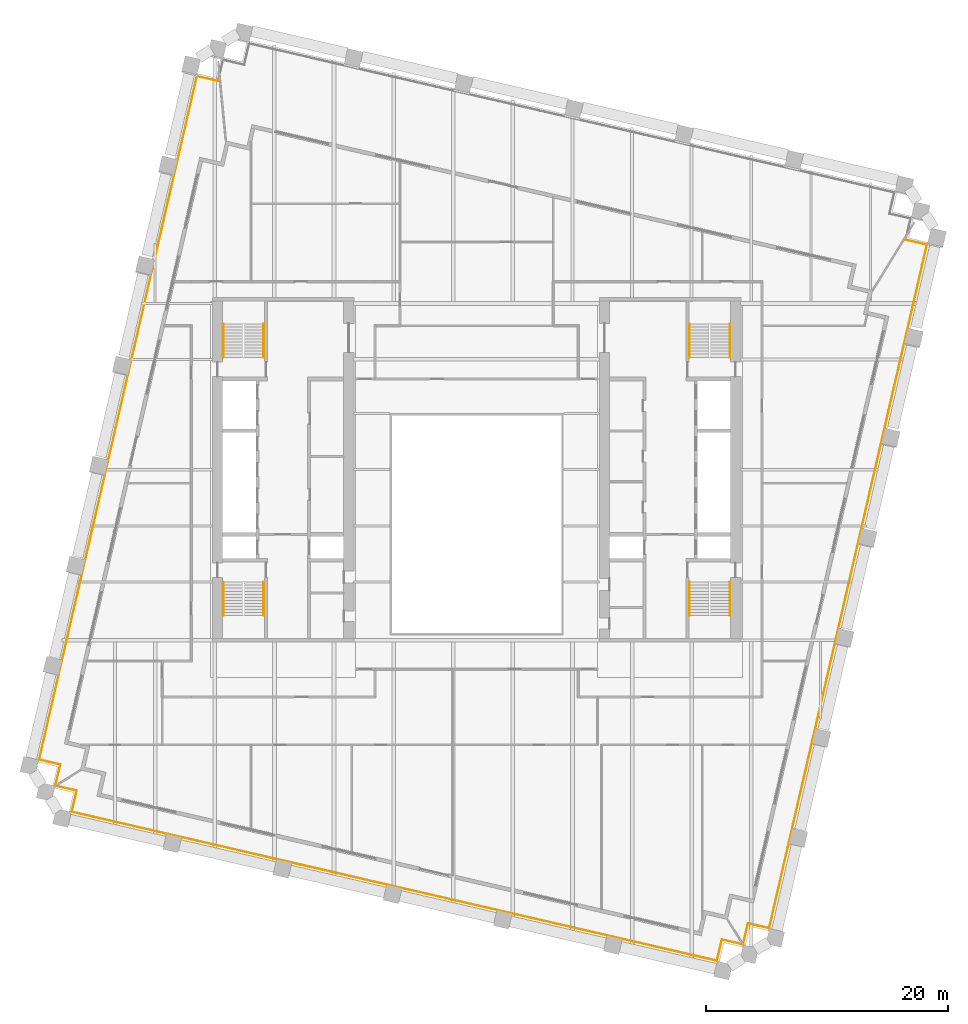
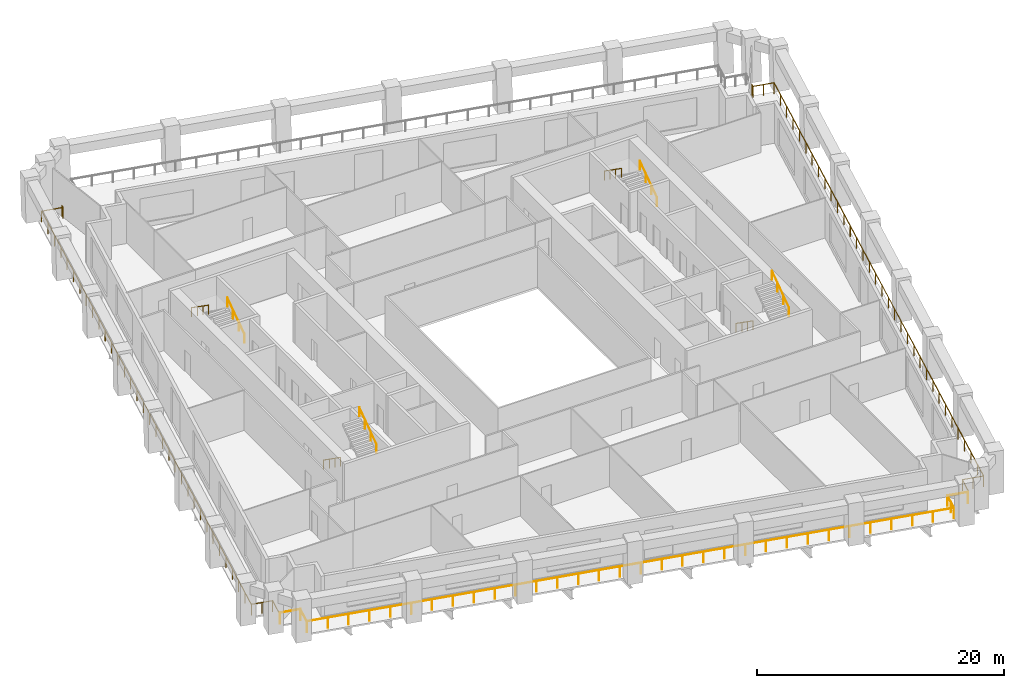
# One storey, part 9 of 10: 11 railings.
"""IFC4 building model written with IfcOpenShell, lengths in metres."""

from ifc_helpers import new_model, si_unit, direction, frame, origin, origin_2d, place, context, subcontext, project, spatial, circle, extrude, material, type_object, element, save


model = new_model("IFC4")

# Units and contexts
model_context = context("Model", 3, precision=1e-05, world=origin(), true_north=direction((0.0, 1.0)))
body_context = subcontext(model_context, "Body", "Model", "MODEL_VIEW")
ifc_project = project(units=[si_unit("LENGTHUNIT", "METRE"), si_unit("AREAUNIT", "SQUARE_METRE"), si_unit("VOLUMEUNIT", "CUBIC_METRE"), si_unit("PLANEANGLEUNIT", "RADIAN"), si_unit("MASSUNIT", "GRAM", prefix="KILO")], contexts=[model_context])

# Site, building, storey
site_placement = place(None, origin())
site = spatial("IfcSite", under=ifc_project, at=site_placement, CompositionType="ELEMENT")
building_placement = place(site_placement, origin())
building = spatial("IfcBuilding", under=site, at=building_placement, Name="Ogive Exchange Tower", CompositionType="ELEMENT")
storey_placement = place(building_placement, frame((0.0, 0.0, 151.800048828125)))
storey = spatial("IfcBuildingStorey", under=building, at=storey_placement, Name="L33", CompositionType="ELEMENT", Elevation=151.800048828125)

# Railings
ifc_material_1 = material(Name="Stainless steel 316", Category="steel")
railing_type_1 = type_object("IfcRailingType", Name="Guard 1100 stainless steel and glass", PredefinedType="GUARDRAIL", material=ifc_material_1)
railing_1_placement = place(storey_placement, frame((21.947265625, -27.74462890625, -0.050048828125)))
element("IfcRailing", 1, at=railing_1_placement, inside=storey, type_object=railing_type_1, Name="Loggia guard 1", PredefinedType="GUARDRAIL", context=body_context, shape_type="SweptSolid", body=[
    extrude(circle(Radius=0.02392578125, at=origin_2d()), frame((0.0, 0.0, 1.076171875), z_axis=(-0.974396013545, 0.224838628327, 0.0), x_axis=(-0.224838628327, -0.974396013545, 0.0)), (0.0, 0.0, 1.0), 1.7080078125),
    extrude(circle(Radius=0.02392578125, at=origin_2d()), frame((-1.664306640625, 0.384033203125, 1.076171875), z_axis=(-0.225008086135, -0.974356896201, 0.0), x_axis=(0.974356896201, -0.225008086135, 0.0)), (0.0, 0.0, 1.0), 1.800048828125),
    extrude(circle(Radius=0.02392578125, at=origin_2d()), frame((-2.0693359375, -1.369873046875, 1.076171875), z_axis=(-0.974368873975, 0.224956212247, 0.0), x_axis=(-0.224956212247, -0.974368873975, 0.0)), (0.0, 0.0, 1.0), 54.760009765625),
    extrude(circle(Radius=0.02392578125, at=origin_2d()), frame((-55.42578125, 10.94873046875, 1.076171875), z_axis=(0.22503782496, 0.974350028141, 0.0), x_axis=(-0.974350028141, 0.22503782496, 0.0)), (0.0, 0.0, 1.0), 1.7998046875),
    extrude(circle(Radius=0.02392578125, at=origin_2d()), frame((-55.020751953125, 12.702392578125, 1.076171875), z_axis=(-0.974364690374, 0.224974332206, 0.0), x_axis=(-0.224974332206, -0.974364690374, 0.0)), (0.0, 0.0, 1.0), 1.7080078125),
    extrude(circle(Radius=0.02099609375, at=origin_2d()), origin(), (0.0, 0.0, 1.0), 1.052001953125),
    extrude(circle(Radius=0.02099609375, at=origin_2d()), frame((-1.664306640625, 0.384033203125, 0.0)), (0.0, 0.0, 1.0), 1.052001953125),
    extrude(circle(Radius=0.02099609375, at=origin_2d()), frame((-1.86669921875, -0.492919921875, 0.0)), (0.0, 0.0, 1.0), 1.052001953125),
    extrude(circle(Radius=0.02099609375, at=origin_2d()), frame((-2.0693359375, -1.369873046875, 0.0)), (0.0, 0.0, 1.0), 1.052001953125),
    extrude(circle(Radius=0.02099609375, at=origin_2d()), frame((-3.79052734375, -0.972412109375, 0.0)), (0.0, 0.0, 1.0), 1.052001953125),
    extrude(circle(Radius=0.02099609375, at=origin_2d()), frame((-5.51171875, -0.5751953125, 0.0)), (0.0, 0.0, 1.0), 1.052001953125),
    extrude(circle(Radius=0.02099609375, at=origin_2d()), frame((-7.23291015625, -0.177734375, 0.0)), (0.0, 0.0, 1.0), 1.052001953125),
    extrude(circle(Radius=0.02099609375, at=origin_2d()), frame((-8.9541015625, 0.2197265625, 0.0)), (0.0, 0.0, 1.0), 1.052001953125),
    extrude(circle(Radius=0.02099609375, at=origin_2d()), frame((-10.67529296875, 0.616943359375, 0.0)), (0.0, 0.0, 1.0), 1.052001953125),
    extrude(circle(Radius=0.02099609375, at=origin_2d()), frame((-12.396484375, 1.014404296875, 0.0)), (0.0, 0.0, 1.0), 1.052001953125),
    extrude(circle(Radius=0.02099609375, at=origin_2d()), frame((-14.11767578125, 1.411865234375, 0.0)), (0.0, 0.0, 1.0), 1.052001953125),
    extrude(circle(Radius=0.02099609375, at=origin_2d()), frame((-15.838623046875, 1.80908203125, 0.0)), (0.0, 0.0, 1.0), 1.052001953125),
    extrude(circle(Radius=0.02099609375, at=origin_2d()), frame((-17.559814453125, 2.20654296875, 0.0)), (0.0, 0.0, 1.0), 1.052001953125),
    extrude(circle(Radius=0.02099609375, at=origin_2d()), frame((-19.281005859375, 2.603759765625, 0.0)), (0.0, 0.0, 1.0), 1.052001953125),
    extrude(circle(Radius=0.02099609375, at=origin_2d()), frame((-21.002197265625, 3.001220703125, 0.0)), (0.0, 0.0, 1.0), 1.052001953125),
    extrude(circle(Radius=0.02099609375, at=origin_2d()), frame((-22.723388671875, 3.398681640625, 0.0)), (0.0, 0.0, 1.0), 1.052001953125),
    extrude(circle(Radius=0.02099609375, at=origin_2d()), frame((-24.444580078125, 3.7958984375, 0.0)), (0.0, 0.0, 1.0), 1.052001953125),
    extrude(circle(Radius=0.02099609375, at=origin_2d()), frame((-26.165771484375, 4.193359375, 0.0)), (0.0, 0.0, 1.0), 1.052001953125),
    extrude(circle(Radius=0.02099609375, at=origin_2d()), frame((-27.886962890625, 4.5908203125, 0.0)), (0.0, 0.0, 1.0), 1.052001953125),
    extrude(circle(Radius=0.02099609375, at=origin_2d()), frame((-29.608154296875, 4.988037109375, 0.0)), (0.0, 0.0, 1.0), 1.052001953125),
    extrude(circle(Radius=0.02099609375, at=origin_2d()), frame((-31.329345703125, 5.385498046875, 0.0)), (0.0, 0.0, 1.0), 1.052001953125),
    extrude(circle(Radius=0.02099609375, at=origin_2d()), frame((-33.050537109375, 5.782958984375, 0.0)), (0.0, 0.0, 1.0), 1.052001953125),
    extrude(circle(Radius=0.02099609375, at=origin_2d()), frame((-34.771728515625, 6.18017578125, 0.0)), (0.0, 0.0, 1.0), 1.052001953125),
    extrude(circle(Radius=0.02099609375, at=origin_2d()), frame((-36.492919921875, 6.57763671875, 0.0)), (0.0, 0.0, 1.0), 1.052001953125),
    extrude(circle(Radius=0.02099609375, at=origin_2d()), frame((-38.214111328125, 6.97509765625, 0.0)), (0.0, 0.0, 1.0), 1.052001953125),
    extrude(circle(Radius=0.02099609375, at=origin_2d()), frame((-39.935302734375, 7.372314453125, 0.0)), (0.0, 0.0, 1.0), 1.052001953125),
    extrude(circle(Radius=0.02099609375, at=origin_2d()), frame((-41.656494140625, 7.769775390625, 0.0)), (0.0, 0.0, 1.0), 1.052001953125),
    extrude(circle(Radius=0.02099609375, at=origin_2d()), frame((-43.37744140625, 8.1669921875, 0.0)), (0.0, 0.0, 1.0), 1.052001953125),
    extrude(circle(Radius=0.02099609375, at=origin_2d()), frame((-45.0986328125, 8.564453125, 0.0)), (0.0, 0.0, 1.0), 1.052001953125),
    extrude(circle(Radius=0.02099609375, at=origin_2d()), frame((-46.81982421875, 8.9619140625, 0.0)), (0.0, 0.0, 1.0), 1.052001953125),
    extrude(circle(Radius=0.02099609375, at=origin_2d()), frame((-48.541015625, 9.359130859375, 0.0)), (0.0, 0.0, 1.0), 1.052001953125),
    extrude(circle(Radius=0.02099609375, at=origin_2d()), frame((-50.26220703125, 9.756591796875, 0.0)), (0.0, 0.0, 1.0), 1.052001953125),
    extrude(circle(Radius=0.02099609375, at=origin_2d()), frame((-51.9833984375, 10.154052734375, 0.0)), (0.0, 0.0, 1.0), 1.052001953125),
    extrude(circle(Radius=0.02099609375, at=origin_2d()), frame((-53.70458984375, 10.55126953125, 0.0)), (0.0, 0.0, 1.0), 1.052001953125),
    extrude(circle(Radius=0.02099609375, at=origin_2d()), frame((-55.42578125, 10.94873046875, 0.0)), (0.0, 0.0, 1.0), 1.052001953125),
    extrude(circle(Radius=0.02099609375, at=origin_2d()), frame((-55.020751953125, 12.702392578125, 0.0)), (0.0, 0.0, 1.0), 1.052001953125),
    extrude(circle(Radius=0.02099609375, at=origin_2d()), frame((-56.68505859375, 13.086669921875, 0.0)), (0.0, 0.0, 1.0), 1.052001953125),
])
railing_2_placement = place(storey_placement, frame((-34.806884765625, -14.547607421875, -0.050048828125)))
element("IfcRailing", 2, at=railing_2_placement, inside=storey, type_object=railing_type_1, Name="Loggia guard 2", PredefinedType="GUARDRAIL", context=body_context, shape_type="SweptSolid", body=[
    extrude(circle(Radius=0.02392578125, at=origin_2d()), frame((0.0, 0.0, 1.076171875), z_axis=(0.224974332206, 0.974364690374, 0.0), x_axis=(-0.974364690374, 0.224974332206, 0.0)), (0.0, 0.0, 1.0), 1.7080078125),
    extrude(circle(Radius=0.02392578125, at=origin_2d()), frame((0.38427734375, 1.664306640625, 1.076171875), z_axis=(-0.974386623598, 0.224879318197, 0.0), x_axis=(-0.224879318197, -0.974386623598, 0.0)), (0.0, 0.0, 1.0), 1.800048828125),
    extrude(circle(Radius=0.02392578125, at=origin_2d()), frame((-1.36962890625, 2.069091796875, 1.076171875), z_axis=(0.224954182707, 0.97436934254, 0.0), x_axis=(-0.97436934254, 0.224954182707, 0.0)), (0.0, 0.0, 1.0), 58.005615234375),
    extrude(circle(Radius=0.02392578125, at=origin_2d()), frame((11.678955078125, 58.587890625, 1.076171875), z_axis=(0.974379763188, -0.224909041816, 0.0), x_axis=(0.224909041816, 0.974379763188, 0.0)), (0.0, 0.0, 1.0), 1.7998046875),
    extrude(circle(Radius=0.02392578125, at=origin_2d()), frame((13.4326171875, 58.18310546875, 1.076171875), z_axis=(0.225320248808, 0.974284755848, 0.0), x_axis=(-0.974284755848, 0.225320248808, 0.0)), (0.0, 0.0, 1.0), 0.27099609375),
    extrude(circle(Radius=0.02099609375, at=origin_2d()), origin(), (0.0, 0.0, 1.0), 1.052001953125),
    extrude(circle(Radius=0.02099609375, at=origin_2d()), frame((0.38427734375, 1.664306640625, 0.0)), (0.0, 0.0, 1.0), 1.052001953125),
    extrude(circle(Radius=0.02099609375, at=origin_2d()), frame((-0.49267578125, 1.86669921875, 0.0)), (0.0, 0.0, 1.0), 1.052001953125),
    extrude(circle(Radius=0.02099609375, at=origin_2d()), frame((-1.36962890625, 2.069091796875, 0.0)), (0.0, 0.0, 1.0), 1.052001953125),
    extrude(circle(Radius=0.02099609375, at=origin_2d()), frame((-0.97412109375, 3.78173828125, 0.0)), (0.0, 0.0, 1.0), 1.052001953125),
    extrude(circle(Radius=0.02099609375, at=origin_2d()), frame((-0.578857421875, 5.494384765625, 0.0)), (0.0, 0.0, 1.0), 1.052001953125),
    extrude(circle(Radius=0.02099609375, at=origin_2d()), frame((-0.183349609375, 7.207275390625, 0.0)), (0.0, 0.0, 1.0), 1.052001953125),
    extrude(circle(Radius=0.02099609375, at=origin_2d()), frame((0.2119140625, 8.919921875, 0.0)), (0.0, 0.0, 1.0), 1.052001953125),
    extrude(circle(Radius=0.02099609375, at=origin_2d()), frame((0.607421875, 10.632568359375, 0.0)), (0.0, 0.0, 1.0), 1.052001953125),
    extrude(circle(Radius=0.02099609375, at=origin_2d()), frame((1.0029296875, 12.34521484375, 0.0)), (0.0, 0.0, 1.0), 1.052001953125),
    extrude(circle(Radius=0.02099609375, at=origin_2d()), frame((1.398193359375, 14.057861328125, 0.0)), (0.0, 0.0, 1.0), 1.052001953125),
    extrude(circle(Radius=0.02099609375, at=origin_2d()), frame((1.793701171875, 15.7705078125, 0.0)), (0.0, 0.0, 1.0), 1.052001953125),
    extrude(circle(Radius=0.02099609375, at=origin_2d()), frame((2.18896484375, 17.4833984375, 0.0)), (0.0, 0.0, 1.0), 1.052001953125),
    extrude(circle(Radius=0.02099609375, at=origin_2d()), frame((2.58447265625, 19.196044921875, 0.0)), (0.0, 0.0, 1.0), 1.052001953125),
    extrude(circle(Radius=0.02099609375, at=origin_2d()), frame((2.97998046875, 20.90869140625, 0.0)), (0.0, 0.0, 1.0), 1.052001953125),
    extrude(circle(Radius=0.02099609375, at=origin_2d()), frame((3.375244140625, 22.621337890625, 0.0)), (0.0, 0.0, 1.0), 1.052001953125),
    extrude(circle(Radius=0.02099609375, at=origin_2d()), frame((3.770751953125, 24.333984375, 0.0)), (0.0, 0.0, 1.0), 1.052001953125),
    extrude(circle(Radius=0.02099609375, at=origin_2d()), frame((4.166015625, 26.046875, 0.0)), (0.0, 0.0, 1.0), 1.052001953125),
    extrude(circle(Radius=0.02099609375, at=origin_2d()), frame((4.5615234375, 27.759521484375, 0.0)), (0.0, 0.0, 1.0), 1.052001953125),
    extrude(circle(Radius=0.02099609375, at=origin_2d()), frame((4.95703125, 29.47216796875, 0.0)), (0.0, 0.0, 1.0), 1.052001953125),
    extrude(circle(Radius=0.02099609375, at=origin_2d()), frame((5.352294921875, 31.184814453125, 0.0)), (0.0, 0.0, 1.0), 1.052001953125),
    extrude(circle(Radius=0.02099609375, at=origin_2d()), frame((5.747802734375, 32.8974609375, 0.0)), (0.0, 0.0, 1.0), 1.052001953125),
    extrude(circle(Radius=0.02099609375, at=origin_2d()), frame((6.143310546875, 34.610107421875, 0.0)), (0.0, 0.0, 1.0), 1.052001953125),
    extrude(circle(Radius=0.02099609375, at=origin_2d()), frame((6.53857421875, 36.322998046875, 0.0)), (0.0, 0.0, 1.0), 1.052001953125),
    extrude(circle(Radius=0.02099609375, at=origin_2d()), frame((6.93408203125, 38.03564453125, 0.0)), (0.0, 0.0, 1.0), 1.052001953125),
    extrude(circle(Radius=0.02099609375, at=origin_2d()), frame((7.329345703125, 39.748291015625, 0.0)), (0.0, 0.0, 1.0), 1.052001953125),
    extrude(circle(Radius=0.02099609375, at=origin_2d()), frame((7.724853515625, 41.4609375, 0.0)), (0.0, 0.0, 1.0), 1.052001953125),
    extrude(circle(Radius=0.02099609375, at=origin_2d()), frame((8.120361328125, 43.173583984375, 0.0)), (0.0, 0.0, 1.0), 1.052001953125),
    extrude(circle(Radius=0.02099609375, at=origin_2d()), frame((8.515625, 44.886474609375, 0.0)), (0.0, 0.0, 1.0), 1.052001953125),
    extrude(circle(Radius=0.02099609375, at=origin_2d()), frame((8.9111328125, 46.59912109375, 0.0)), (0.0, 0.0, 1.0), 1.052001953125),
    extrude(circle(Radius=0.02099609375, at=origin_2d()), frame((9.306396484375, 48.311767578125, 0.0)), (0.0, 0.0, 1.0), 1.052001953125),
    extrude(circle(Radius=0.02099609375, at=origin_2d()), frame((9.701904296875, 50.0244140625, 0.0)), (0.0, 0.0, 1.0), 1.052001953125),
    extrude(circle(Radius=0.02099609375, at=origin_2d()), frame((10.097412109375, 51.737060546875, 0.0)), (0.0, 0.0, 1.0), 1.052001953125),
    extrude(circle(Radius=0.02099609375, at=origin_2d()), frame((10.49267578125, 53.44970703125, 0.0)), (0.0, 0.0, 1.0), 1.052001953125),
    extrude(circle(Radius=0.02099609375, at=origin_2d()), frame((10.88818359375, 55.16259765625, 0.0)), (0.0, 0.0, 1.0), 1.052001953125),
    extrude(circle(Radius=0.02099609375, at=origin_2d()), frame((11.283447265625, 56.875244140625, 0.0)), (0.0, 0.0, 1.0), 1.052001953125),
    extrude(circle(Radius=0.02099609375, at=origin_2d()), frame((11.678955078125, 58.587890625, 0.0)), (0.0, 0.0, 1.0), 1.052001953125),
    extrude(circle(Radius=0.02099609375, at=origin_2d()), frame((13.4326171875, 58.18310546875, 0.0)), (0.0, 0.0, 1.0), 1.052001953125),
    extrude(circle(Radius=0.02099609375, at=origin_2d()), frame((13.49365234375, 58.447021484375, 0.0)), (0.0, 0.0, 1.0), 1.052001953125),
])
railing_3_placement = place(storey_placement, frame((35.551025390625, 30.771484375, -0.050048828125)))
element("IfcRailing", 3, at=railing_3_placement, inside=storey, type_object=railing_type_1, Name="Loggia guard 4", PredefinedType="GUARDRAIL", context=body_context, shape_type="SweptSolid", body=[
    extrude(circle(Radius=0.02392578125, at=origin_2d()), frame((0.0, 0.0, 1.076171875), z_axis=(-0.224925214677, -0.974376029981, 0.0), x_axis=(0.974376029981, -0.224925214677, 0.0)), (0.0, 0.0, 1.0), 0.271240234375),
    extrude(circle(Radius=0.02392578125, at=origin_2d()), frame((-0.06103515625, -0.264404296875, 1.076171875), z_axis=(0.974386623598, -0.224879318197, 0.0), x_axis=(0.224879318197, 0.974386623598, 0.0)), (0.0, 0.0, 1.0), 1.800048828125),
    extrude(circle(Radius=0.02392578125, at=origin_2d()), frame((1.69287109375, -0.669189453125, 1.076171875), z_axis=(-0.22495018677, -0.97437026508, 0.0), x_axis=(0.97437026508, -0.22495018677, 0.0)), (0.0, 0.0, 1.0), 58.00537109375),
    extrude(circle(Radius=0.02392578125, at=origin_2d()), frame((-11.35546875, -57.18798828125, 1.076171875), z_axis=(-0.974356896201, 0.225008086135, 0.0), x_axis=(-0.225008086135, -0.974356896201, 0.0)), (0.0, 0.0, 1.0), 1.800048828125),
    extrude(circle(Radius=0.02392578125, at=origin_2d()), frame((-13.109375, -56.782958984375, 1.076171875), z_axis=(-0.224974332206, -0.974364690374, 0.0), x_axis=(0.974364690374, -0.224974332206, 0.0)), (0.0, 0.0, 1.0), 1.7080078125),
    extrude(circle(Radius=0.02099609375, at=origin_2d()), origin(), (0.0, 0.0, 1.0), 1.052001953125),
    extrude(circle(Radius=0.02099609375, at=origin_2d()), frame((-0.06103515625, -0.264404296875, 0.0)), (0.0, 0.0, 1.0), 1.052001953125),
    extrude(circle(Radius=0.02099609375, at=origin_2d()), frame((0.81591796875, -0.466796875, 0.0)), (0.0, 0.0, 1.0), 1.052001953125),
    extrude(circle(Radius=0.02099609375, at=origin_2d()), frame((1.69287109375, -0.669189453125, 0.0)), (0.0, 0.0, 1.0), 1.052001953125),
    extrude(circle(Radius=0.02099609375, at=origin_2d()), frame((1.29736328125, -2.3818359375, 0.0)), (0.0, 0.0, 1.0), 1.052001953125),
    extrude(circle(Radius=0.02099609375, at=origin_2d()), frame((0.902099609375, -4.094482421875, 0.0)), (0.0, 0.0, 1.0), 1.052001953125),
    extrude(circle(Radius=0.02099609375, at=origin_2d()), frame((0.506591796875, -5.807373046875, 0.0)), (0.0, 0.0, 1.0), 1.052001953125),
    extrude(circle(Radius=0.02099609375, at=origin_2d()), frame((0.111328125, -7.52001953125, 0.0)), (0.0, 0.0, 1.0), 1.052001953125),
    extrude(circle(Radius=0.02099609375, at=origin_2d()), frame((-0.2841796875, -9.232666015625, 0.0)), (0.0, 0.0, 1.0), 1.052001953125),
    extrude(circle(Radius=0.02099609375, at=origin_2d()), frame((-0.679443359375, -10.9453125, 0.0)), (0.0, 0.0, 1.0), 1.052001953125),
    extrude(circle(Radius=0.02099609375, at=origin_2d()), frame((-1.074951171875, -12.657958984375, 0.0)), (0.0, 0.0, 1.0), 1.052001953125),
    extrude(circle(Radius=0.02099609375, at=origin_2d()), frame((-1.470458984375, -14.37060546875, 0.0)), (0.0, 0.0, 1.0), 1.052001953125),
    extrude(circle(Radius=0.02099609375, at=origin_2d()), frame((-1.86572265625, -16.08349609375, 0.0)), (0.0, 0.0, 1.0), 1.052001953125),
    extrude(circle(Radius=0.02099609375, at=origin_2d()), frame((-2.26123046875, -17.796142578125, 0.0)), (0.0, 0.0, 1.0), 1.052001953125),
    extrude(circle(Radius=0.02099609375, at=origin_2d()), frame((-2.656494140625, -19.5087890625, 0.0)), (0.0, 0.0, 1.0), 1.052001953125),
    extrude(circle(Radius=0.02099609375, at=origin_2d()), frame((-3.052001953125, -21.221435546875, 0.0)), (0.0, 0.0, 1.0), 1.052001953125),
    extrude(circle(Radius=0.02099609375, at=origin_2d()), frame((-3.447265625, -22.93408203125, 0.0)), (0.0, 0.0, 1.0), 1.052001953125),
    extrude(circle(Radius=0.02099609375, at=origin_2d()), frame((-3.8427734375, -24.64697265625, 0.0)), (0.0, 0.0, 1.0), 1.052001953125),
    extrude(circle(Radius=0.02099609375, at=origin_2d()), frame((-4.23828125, -26.359619140625, 0.0)), (0.0, 0.0, 1.0), 1.052001953125),
    extrude(circle(Radius=0.02099609375, at=origin_2d()), frame((-4.633544921875, -28.072265625, 0.0)), (0.0, 0.0, 1.0), 1.052001953125),
    extrude(circle(Radius=0.02099609375, at=origin_2d()), frame((-5.029052734375, -29.784912109375, 0.0)), (0.0, 0.0, 1.0), 1.052001953125),
    extrude(circle(Radius=0.02099609375, at=origin_2d()), frame((-5.42431640625, -31.49755859375, 0.0)), (0.0, 0.0, 1.0), 1.052001953125),
    extrude(circle(Radius=0.02099609375, at=origin_2d()), frame((-5.81982421875, -33.210205078125, 0.0)), (0.0, 0.0, 1.0), 1.052001953125),
    extrude(circle(Radius=0.02099609375, at=origin_2d()), frame((-6.21533203125, -34.923095703125, 0.0)), (0.0, 0.0, 1.0), 1.052001953125),
    extrude(circle(Radius=0.02099609375, at=origin_2d()), frame((-6.610595703125, -36.6357421875, 0.0)), (0.0, 0.0, 1.0), 1.052001953125),
    extrude(circle(Radius=0.02099609375, at=origin_2d()), frame((-7.006103515625, -38.348388671875, 0.0)), (0.0, 0.0, 1.0), 1.052001953125),
    extrude(circle(Radius=0.02099609375, at=origin_2d()), frame((-7.4013671875, -40.06103515625, 0.0)), (0.0, 0.0, 1.0), 1.052001953125),
    extrude(circle(Radius=0.02099609375, at=origin_2d()), frame((-7.796875, -41.773681640625, 0.0)), (0.0, 0.0, 1.0), 1.052001953125),
    extrude(circle(Radius=0.02099609375, at=origin_2d()), frame((-8.192138671875, -43.486572265625, 0.0)), (0.0, 0.0, 1.0), 1.052001953125),
    extrude(circle(Radius=0.02099609375, at=origin_2d()), frame((-8.587646484375, -45.19921875, 0.0)), (0.0, 0.0, 1.0), 1.052001953125),
    extrude(circle(Radius=0.02099609375, at=origin_2d()), frame((-8.983154296875, -46.911865234375, 0.0)), (0.0, 0.0, 1.0), 1.052001953125),
    extrude(circle(Radius=0.02099609375, at=origin_2d()), frame((-9.37841796875, -48.62451171875, 0.0)), (0.0, 0.0, 1.0), 1.052001953125),
    extrude(circle(Radius=0.02099609375, at=origin_2d()), frame((-9.77392578125, -50.337158203125, 0.0)), (0.0, 0.0, 1.0), 1.052001953125),
    extrude(circle(Radius=0.02099609375, at=origin_2d()), frame((-10.169189453125, -52.0498046875, 0.0)), (0.0, 0.0, 1.0), 1.052001953125),
    extrude(circle(Radius=0.02099609375, at=origin_2d()), frame((-10.564697265625, -53.7626953125, 0.0)), (0.0, 0.0, 1.0), 1.052001953125),
    extrude(circle(Radius=0.02099609375, at=origin_2d()), frame((-10.9599609375, -55.475341796875, 0.0)), (0.0, 0.0, 1.0), 1.052001953125),
    extrude(circle(Radius=0.02099609375, at=origin_2d()), frame((-11.35546875, -57.18798828125, 0.0)), (0.0, 0.0, 1.0), 1.052001953125),
    extrude(circle(Radius=0.02099609375, at=origin_2d()), frame((-12.232421875, -56.9853515625, 0.0)), (0.0, 0.0, 1.0), 1.052001953125),
    extrude(circle(Radius=0.02099609375, at=origin_2d()), frame((-13.109375, -56.782958984375, 0.0)), (0.0, 0.0, 1.0), 1.052001953125),
    extrude(circle(Radius=0.02099609375, at=origin_2d()), frame((-13.49365234375, -58.447265625, 0.0)), (0.0, 0.0, 1.0), 1.052001953125),
])
ifc_material_2 = material(Name="Stainless steel", Category="steel")
railing_type_2 = type_object("IfcRailingType", Name="Stair handrail 900", PredefinedType="HANDRAIL", material=ifc_material_2)
railing_4_placement = place(storey_placement, frame((-20.949951171875, 2.199951171875, 0.175048828125)))
element("IfcRailing", 4, at=railing_4_placement, inside=storey, type_object=railing_type_2, Name="L33 ST1 stair handrail 1", PredefinedType="HANDRAIL", context=body_context, shape_type="SweptSolid", body=[
    extrude(circle(Radius=0.02392578125, at=origin_2d()), frame((0.0, 0.0, 0.8759765625), z_axis=(0.0, -0.819259255306, 0.573423292687), x_axis=(1.0, 0.0, 0.0)), (0.0, 0.0, 1.0), 3.356689453125),
    extrude(circle(Radius=0.02099609375, at=origin_2d()), origin(), (0.0, 0.0, 1.0), 0.851806640625),
    extrude(circle(Radius=0.02099609375, at=origin_2d()), frame((0.0, -0.916748046875, 0.6416015625)), (0.0, 0.0, 1.0), 0.851806640625),
    extrude(circle(Radius=0.02099609375, at=origin_2d()), frame((0.0, -1.833251953125, 1.283203125)), (0.0, 0.0, 1.0), 0.851806640625),
    extrude(circle(Radius=0.02099609375, at=origin_2d()), frame((0.0, -2.75, 1.9248046875)), (0.0, 0.0, 1.0), 0.851806640625),
])
railing_5_placement = place(storey_placement, frame((-17.60009765625, -0.550048828125, 2.27490234375)))
element("IfcRailing", 5, at=railing_5_placement, inside=storey, type_object=railing_type_2, Name="L33 ST1 stair handrail 2", PredefinedType="HANDRAIL", context=body_context, shape_type="SweptSolid", body=[
    extrude(circle(Radius=0.02392578125, at=origin_2d()), frame((0.0, 0.0, 0.8759765625), z_axis=(0.0, 0.819225086817, 0.573472106672), x_axis=(-1.0, 0.0, 0.0)), (0.0, 0.0, 1.0), 3.35693359375),
    extrude(circle(Radius=0.02099609375, at=origin_2d()), origin(), (0.0, 0.0, 1.0), 0.851806640625),
    extrude(circle(Radius=0.02099609375, at=origin_2d()), frame((0.0, 0.916748046875, 0.6416015625)), (0.0, 0.0, 1.0), 0.851806640625),
    extrude(circle(Radius=0.02099609375, at=origin_2d()), frame((0.0, 1.833251953125, 1.283447265625)), (0.0, 0.0, 1.0), 0.851806640625),
    extrude(circle(Radius=0.02099609375, at=origin_2d()), frame((0.0, 2.75, 1.925048828125)), (0.0, 0.0, 1.0), 0.851806640625),
])
railing_6_placement = place(storey_placement, frame((-17.60009765625, 20.800048828125, 0.175048828125)))
element("IfcRailing", 6, at=railing_6_placement, inside=storey, type_object=railing_type_2, Name="L33 ST2 stair handrail 1", PredefinedType="HANDRAIL", context=body_context, shape_type="SweptSolid", body=[
    extrude(circle(Radius=0.02392578125, at=origin_2d()), frame((0.0, 0.0, 0.8759765625), z_axis=(0.0, 0.819259255306, 0.573423292687), x_axis=(-1.0, 0.0, 0.0)), (0.0, 0.0, 1.0), 3.356689453125),
    extrude(circle(Radius=0.02099609375, at=origin_2d()), origin(), (0.0, 0.0, 1.0), 0.851806640625),
    extrude(circle(Radius=0.02099609375, at=origin_2d()), frame((0.0, 0.916748046875, 0.6416015625)), (0.0, 0.0, 1.0), 0.851806640625),
    extrude(circle(Radius=0.02099609375, at=origin_2d()), frame((0.0, 1.833251953125, 1.283203125)), (0.0, 0.0, 1.0), 0.851806640625),
    extrude(circle(Radius=0.02099609375, at=origin_2d()), frame((0.0, 2.75, 1.9248046875)), (0.0, 0.0, 1.0), 0.851806640625),
])
railing_7_placement = place(storey_placement, frame((-20.949951171875, 23.550048828125, 2.27490234375)))
element("IfcRailing", 7, at=railing_7_placement, inside=storey, type_object=railing_type_2, Name="L33 ST2 stair handrail 2", PredefinedType="HANDRAIL", context=body_context, shape_type="SweptSolid", body=[
    extrude(circle(Radius=0.02392578125, at=origin_2d()), frame((0.0, 0.0, 0.8759765625), z_axis=(0.0, -0.819225086817, 0.573472106672), x_axis=(1.0, 0.0, 0.0)), (0.0, 0.0, 1.0), 3.35693359375),
    extrude(circle(Radius=0.02099609375, at=origin_2d()), origin(), (0.0, 0.0, 1.0), 0.851806640625),
    extrude(circle(Radius=0.02099609375, at=origin_2d()), frame((0.0, -0.916748046875, 0.6416015625)), (0.0, 0.0, 1.0), 0.851806640625),
    extrude(circle(Radius=0.02099609375, at=origin_2d()), frame((0.0, -1.833251953125, 1.283447265625)), (0.0, 0.0, 1.0), 0.851806640625),
    extrude(circle(Radius=0.02099609375, at=origin_2d()), frame((0.0, -2.75, 1.925048828125)), (0.0, 0.0, 1.0), 0.851806640625),
])
railing_8_placement = place(storey_placement, frame((17.60009765625, 2.199951171875, 0.175048828125)))
element("IfcRailing", 8, at=railing_8_placement, inside=storey, type_object=railing_type_2, Name="L33 ST3 stair handrail 1", PredefinedType="HANDRAIL", context=body_context, shape_type="SweptSolid", body=[
    extrude(circle(Radius=0.02392578125, at=origin_2d()), frame((0.0, 0.0, 0.8759765625), z_axis=(0.0, -0.819259255306, 0.573423292687), x_axis=(1.0, 0.0, 0.0)), (0.0, 0.0, 1.0), 3.356689453125),
    extrude(circle(Radius=0.02099609375, at=origin_2d()), origin(), (0.0, 0.0, 1.0), 0.851806640625),
    extrude(circle(Radius=0.02099609375, at=origin_2d()), frame((0.0, -0.916748046875, 0.6416015625)), (0.0, 0.0, 1.0), 0.851806640625),
    extrude(circle(Radius=0.02099609375, at=origin_2d()), frame((0.0, -1.833251953125, 1.283203125)), (0.0, 0.0, 1.0), 0.851806640625),
    extrude(circle(Radius=0.02099609375, at=origin_2d()), frame((0.0, -2.75, 1.9248046875)), (0.0, 0.0, 1.0), 0.851806640625),
])
railing_9_placement = place(storey_placement, frame((20.949951171875, -0.550048828125, 2.27490234375)))
element("IfcRailing", 9, at=railing_9_placement, inside=storey, type_object=railing_type_2, Name="L33 ST3 stair handrail 2", PredefinedType="HANDRAIL", context=body_context, shape_type="SweptSolid", body=[
    extrude(circle(Radius=0.02392578125, at=origin_2d()), frame((0.0, 0.0, 0.8759765625), z_axis=(0.0, 0.819225086817, 0.573472106672), x_axis=(-1.0, 0.0, 0.0)), (0.0, 0.0, 1.0), 3.35693359375),
    extrude(circle(Radius=0.02099609375, at=origin_2d()), origin(), (0.0, 0.0, 1.0), 0.851806640625),
    extrude(circle(Radius=0.02099609375, at=origin_2d()), frame((0.0, 0.916748046875, 0.6416015625)), (0.0, 0.0, 1.0), 0.851806640625),
    extrude(circle(Radius=0.02099609375, at=origin_2d()), frame((0.0, 1.833251953125, 1.283447265625)), (0.0, 0.0, 1.0), 0.851806640625),
    extrude(circle(Radius=0.02099609375, at=origin_2d()), frame((0.0, 2.75, 1.925048828125)), (0.0, 0.0, 1.0), 0.851806640625),
])
railing_10_placement = place(storey_placement, frame((20.949951171875, 20.800048828125, 0.175048828125)))
element("IfcRailing", 10, at=railing_10_placement, inside=storey, type_object=railing_type_2, Name="L33 ST4 stair handrail 1", PredefinedType="HANDRAIL", context=body_context, shape_type="SweptSolid", body=[
    extrude(circle(Radius=0.02392578125, at=origin_2d()), frame((0.0, 0.0, 0.8759765625), z_axis=(0.0, 0.819259255306, 0.573423292687), x_axis=(-1.0, 0.0, 0.0)), (0.0, 0.0, 1.0), 3.356689453125),
    extrude(circle(Radius=0.02099609375, at=origin_2d()), origin(), (0.0, 0.0, 1.0), 0.851806640625),
    extrude(circle(Radius=0.02099609375, at=origin_2d()), frame((0.0, 0.916748046875, 0.6416015625)), (0.0, 0.0, 1.0), 0.851806640625),
    extrude(circle(Radius=0.02099609375, at=origin_2d()), frame((0.0, 1.833251953125, 1.283203125)), (0.0, 0.0, 1.0), 0.851806640625),
    extrude(circle(Radius=0.02099609375, at=origin_2d()), frame((0.0, 2.75, 1.9248046875)), (0.0, 0.0, 1.0), 0.851806640625),
])
railing_11_placement = place(storey_placement, frame((17.60009765625, 23.550048828125, 2.27490234375)))
element("IfcRailing", 11, at=railing_11_placement, inside=storey, type_object=railing_type_2, Name="L33 ST4 stair handrail 2", PredefinedType="HANDRAIL", context=body_context, shape_type="SweptSolid", body=[
    extrude(circle(Radius=0.02392578125, at=origin_2d()), frame((0.0, 0.0, 0.8759765625), z_axis=(0.0, -0.819225086817, 0.573472106672), x_axis=(1.0, 0.0, 0.0)), (0.0, 0.0, 1.0), 3.35693359375),
    extrude(circle(Radius=0.02099609375, at=origin_2d()), origin(), (0.0, 0.0, 1.0), 0.851806640625),
    extrude(circle(Radius=0.02099609375, at=origin_2d()), frame((0.0, -0.916748046875, 0.6416015625)), (0.0, 0.0, 1.0), 0.851806640625),
    extrude(circle(Radius=0.02099609375, at=origin_2d()), frame((0.0, -1.833251953125, 1.283447265625)), (0.0, 0.0, 1.0), 0.851806640625),
    extrude(circle(Radius=0.02099609375, at=origin_2d()), frame((0.0, -2.75, 1.925048828125)), (0.0, 0.0, 1.0), 0.851806640625),
])

save(model, "model.ifc")
